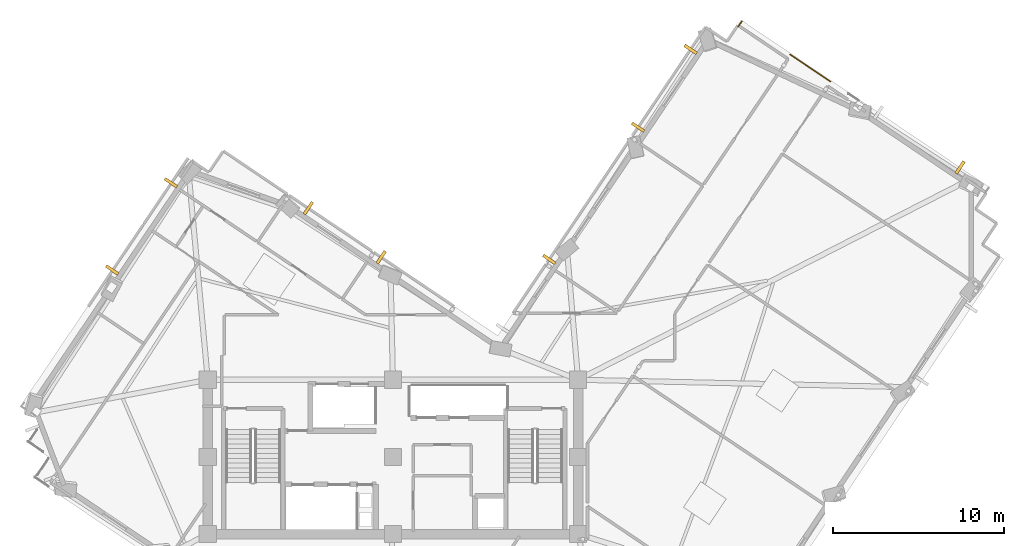
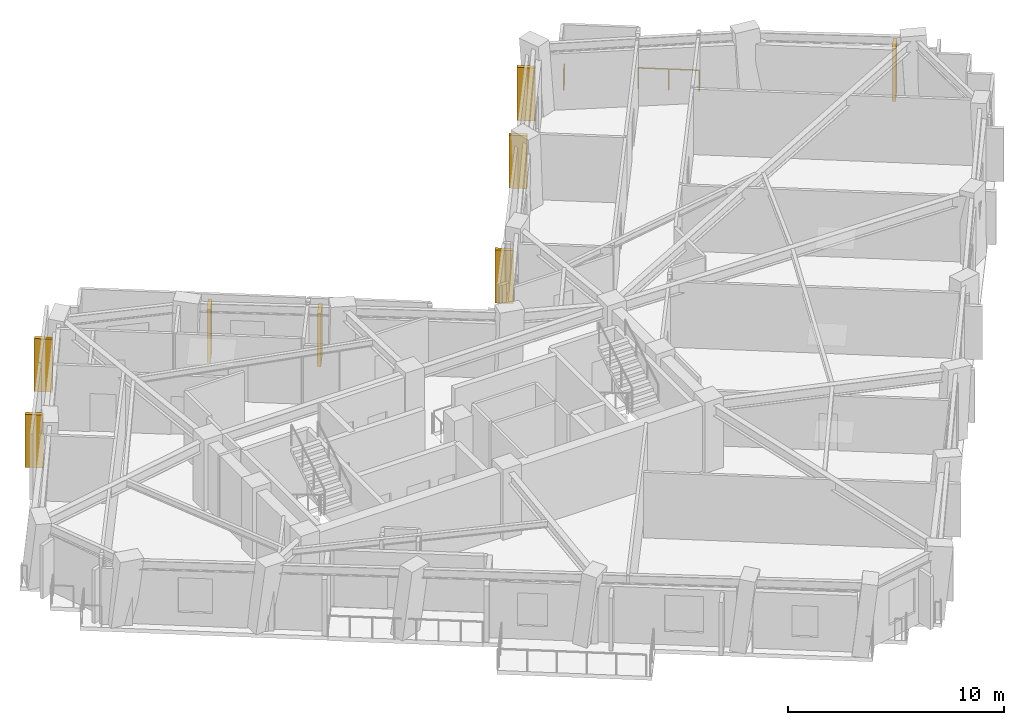
# One storey, part 13 of 14: 8 shading devices, 2 railings.
"""IFC4 building model written with IfcOpenShell, lengths in metres."""

import ifcopenshell
import ifcopenshell.guid

model = None  # the IFC model being written
_history = None  # IfcOwnerHistory: only IFC2X3 demands one
_inside = {}  # id of a spatial element -> (the spatial element, [elements in it])
_under = {}  # id of a project, library or spatial element -> (it, [spatial elements below it])
_declared = {}  # id of a project -> (the project, [libraries it declares])
_typed = {}  # id of a type object -> (the type object, [elements of that type])
_made_of = {}  # id of a material, layer set ... -> (it, [elements and type objects made of it])


def new_model(schema):
    """Start an empty IFC model of exactly this schema.

    Asked for "IFC4X3", IfcOpenShell would pick the latest addendum, in which some entities
    have other attributes; the version numbers below select the first issue.
    IFC2X3 requires an IfcOwnerHistory on every rooted entity: one is made here for all.
    """
    global model, _history
    if schema == "IFC4X3":
        model = ifcopenshell.file(schema_version=(4, 3, 0, 0))
    else:
        model = ifcopenshell.file(schema=schema)
    _inside.clear()
    _under.clear()
    _declared.clear()
    _typed.clear()
    _made_of.clear()
    _history = None
    if model.schema == "IFC2X3":
        org = make("IfcOrganization", Name="unknown")
        user = make(
            "IfcPersonAndOrganization",
            ThePerson=make("IfcPerson", FamilyName="unknown"),
            TheOrganization=org,
        )
        app = make(
            "IfcApplication",
            ApplicationDeveloper=org,
            Version="unknown",
            ApplicationFullName="unknown",
            ApplicationIdentifier="unknown",
        )
        _history = make(
            "IfcOwnerHistory",
            OwningUser=user,
            OwningApplication=app,
            ChangeAction="ADDED",
            CreationDate=0,
        )
    return model


def make(cls, **values):
    """One entity of the class cls with the attributes given. An attribute that is None is left unset."""
    return model.create_entity(
        cls, **{name: value for name, value in values.items() if value is not None}
    )


def rooted(cls, **values):
    """An entity with a GlobalId (a new one), such as an element, a storey or a relation."""
    return make(cls, GlobalId=ifcopenshell.guid.new(), OwnerHistory=_history, **values)


def si_unit(unit_type, name, prefix=None):
    """IfcSIUnit, for example si_unit("LENGTHUNIT", "METRE", prefix="MILLI")."""
    return make("IfcSIUnit", UnitType=unit_type, Prefix=prefix, Name=name)


def assignment(units):
    """IfcUnitAssignment: the units of a project."""
    return None if units is None else make("IfcUnitAssignment", Units=units)


def point(xyz):
    """IfcCartesianPoint."""
    return None if xyz is None else make("IfcCartesianPoint", Coordinates=xyz)


def direction(xyz):
    """IfcDirection."""
    return None if xyz is None else make("IfcDirection", DirectionRatios=xyz)


def frame(location, z_axis=None, x_axis=None):
    """IfcAxis2Placement3D, a coordinate frame: its origin and axes. An axis left out is left unset."""
    return make(
        "IfcAxis2Placement3D",
        Location=point(location),
        Axis=direction(z_axis),
        RefDirection=direction(x_axis),
    )


def frame_2d(location, x_axis=None):
    """IfcAxis2Placement2D, a coordinate frame in the plane: its origin and x axis."""
    return make(
        "IfcAxis2Placement2D", Location=point(location), RefDirection=direction(x_axis)
    )


def origin():
    """The frame at (0, 0, 0) with its axes left unset."""
    return frame((0.0, 0.0, 0.0))


def origin_2d():
    """The frame at (0, 0) in the plane with its x axis left unset."""
    return frame_2d((0.0, 0.0))


def place(relative_to, where):
    """IfcLocalPlacement: puts the frame where relative to a parent placement (None: the world)."""
    return make(
        "IfcLocalPlacement", PlacementRelTo=relative_to, RelativePlacement=where
    )


def context(
    kind, dimensions, precision=None, world=None, true_north=None, identifier=None
):
    """IfcGeometricRepresentationContext, for example the 3D "Model" context."""
    return make(
        "IfcGeometricRepresentationContext",
        ContextIdentifier=identifier,
        ContextType=kind,
        CoordinateSpaceDimension=dimensions,
        Precision=precision,
        WorldCoordinateSystem=world,
        TrueNorth=true_north,
    )


def subcontext(parent, identifier, kind, view, scale=None):
    """IfcGeometricRepresentationSubContext, for example "Body" below "Model"."""
    return make(
        "IfcGeometricRepresentationSubContext",
        ContextIdentifier=identifier,
        ContextType=kind,
        ParentContext=parent,
        TargetScale=scale,
        TargetView=view,
    )


def project(units=None, contexts=None):
    """IfcProject with its units and contexts."""
    return rooted(
        "IfcProject",
        Name="project",
        RepresentationContexts=contexts,
        UnitsInContext=assignment(units),
    )


def spatial(cls, under=None, at=None, **own):
    """A site, building, storey or space (cls), placed at a placement, below another one or the project."""
    s = rooted(cls, ObjectPlacement=at, **own)
    if under is not None:
        _under.setdefault(under.id(), (under, []))[1].append(s)
    return s


def profile(cls, at=None, kind="AREA", **sizes):
    """A parametric profile (cls). Its sizes go by their IFC names, for example OverallWidth=200.0."""
    return make(cls, ProfileType=kind, Position=at, **sizes)


def rectangle(**sizes):
    """IfcRectangleProfileDef."""
    return profile("IfcRectangleProfileDef", **sizes)


def circle(**sizes):
    """IfcCircleProfileDef."""
    return profile("IfcCircleProfileDef", **sizes)


def extrude(swept, where, along, depth):
    """IfcExtrudedAreaSolid: the profile swept, set in the frame where, extruded along a direction by depth."""
    return make(
        "IfcExtrudedAreaSolid",
        SweptArea=swept,
        Position=where,
        ExtrudedDirection=direction(along),
        Depth=depth,
    )


def shape(context_of_items, identifier, shape_type, items):
    """IfcShapeRepresentation: the items that make up one representation, for example the "Body"."""
    return make(
        "IfcShapeRepresentation",
        ContextOfItems=context_of_items,
        RepresentationIdentifier=identifier,
        RepresentationType=shape_type,
        Items=items,
    )


def material(Name=None, Category=None):
    """IfcMaterial."""
    return make("IfcMaterial", Name=Name, Category=Category)


def layer(
    of_material, thickness, ventilated=None, Name=None, Category=None, Priority=None
):
    """IfcMaterialLayer: one layer of a wall or slab, of a material (None: an air gap)."""
    return make(
        "IfcMaterialLayer",
        Material=of_material,
        LayerThickness=thickness,
        IsVentilated=ventilated,
        Name=Name,
        Category=Category,
        Priority=Priority,
    )


def layer_set(layers, Name=None):
    """IfcMaterialLayerSet."""
    return make("IfcMaterialLayerSet", MaterialLayers=layers, LayerSetName=Name)


def made_of(thing, what):
    """Note that an element or type object is made of a material, layer set ...; save() writes the relation."""
    if what is not None:
        _made_of.setdefault(what.id(), (what, []))[1].append(thing)
    return thing


def type_object(cls, material=None, **own):
    """A type object (cls), such as IfcWallType, which elements share."""
    return made_of(rooted(cls, **own), material)


def element(
    cls,
    number,
    at=None,
    inside=None,
    cuts=None,
    type_object=None,
    material=None,
    context=None,
    identifier="Body",
    shape_type=None,
    held_by="IfcProductDefinitionShape",
    body=None,
    shapes=None,
    **own,
):
    """One element of the class cls, such as IfcWall. Its Tag is "e" and its number.

    at: its placement. inside: the storey or other place that contains it. cuts: it is an
    opening in that element (IfcRelVoidsElement). A single representation is given by context,
    identifier, shape_type and body (its items); several are given by shapes. held_by: the class
    of the entity that holds the representations. save() writes the other relations.
    """
    e = rooted(cls, Tag="e%d" % number, ObjectPlacement=at, **own)
    if body is not None:
        shapes = [shape(context, identifier, shape_type, body)]
    if shapes is not None:
        e.Representation = make(held_by, Representations=shapes)
    if inside is not None:
        _inside.setdefault(inside.id(), (inside, []))[1].append(e)
    if cuts is not None:
        rooted(
            "IfcRelVoidsElement", RelatingBuildingElement=cuts, RelatedOpeningElement=e
        )
    if type_object is not None:
        _typed.setdefault(type_object.id(), (type_object, []))[1].append(e)
    return made_of(e, material)


def aggregate(whole, parts):
    """IfcRelAggregates: a whole, such as a stair, and the parts it consists of."""
    return rooted("IfcRelAggregates", RelatingObject=whole, RelatedObjects=parts)


def save(model, path):
    """Write the relations noted so far, then the file.

    IfcRelAggregates (storeys below a building ...), IfcRelContainedInSpatialStructure (elements
    in a storey), IfcRelDefinesByType, IfcRelAssociatesMaterial and IfcRelDeclares: one each for
    every whole, place, type object, material and project.
    """
    for whole, parts in _under.values():
        aggregate(whole, parts)
    for where, things in _inside.values():
        rooted(
            "IfcRelContainedInSpatialStructure",
            RelatedElements=things,
            RelatingStructure=where,
        )
    for kind, things in _typed.values():
        rooted("IfcRelDefinesByType", RelatedObjects=things, RelatingType=kind)
    for what, things in _made_of.values():
        rooted("IfcRelAssociatesMaterial", RelatedObjects=things, RelatingMaterial=what)
    for by, libraries in _declared.values():
        rooted("IfcRelDeclares", RelatingContext=by, RelatedDefinitions=libraries)
    model.write(path)


model = new_model("IFC4")

# Units and contexts
model_context = context("Model", 3, precision=1e-05, world=origin(), true_north=direction((0.0, 1.0)))
body_context = subcontext(model_context, "Body", "Model", "MODEL_VIEW")
ifc_project = project(units=[si_unit("LENGTHUNIT", "METRE"), si_unit("AREAUNIT", "SQUARE_METRE"), si_unit("VOLUMEUNIT", "CUBIC_METRE"), si_unit("PLANEANGLEUNIT", "RADIAN"), si_unit("MASSUNIT", "GRAM", prefix="KILO")], contexts=[model_context])

# Site, building, storey
site_placement = place(None, origin())
site = spatial("IfcSite", under=ifc_project, at=site_placement, CompositionType="ELEMENT")
building_placement = place(site_placement, origin())
building = spatial("IfcBuilding", under=site, at=building_placement, Name="Gaonmaruhae Medical Tower", CompositionType="ELEMENT")
storey_placement = place(building_placement, frame((0.0, 0.0, 263.199951171875)))
storey = spatial("IfcBuildingStorey", under=building, at=storey_placement, Name="L63", CompositionType="ELEMENT", Elevation=263.199951171875)

# Railings
ifc_material_1 = material(Name="Stainless steel 316L and laminated safety glass", Category="steel")
ifc_layer = layer(ifc_material_1, 0.080078125)
ifc_layer_set = layer_set([ifc_layer], Name="Stainless steel 316L and laminated safety glass")
railing_type = type_object("IfcRailingType", Name="GD-120 Outdoor Terrace Safety Glass & Steel Balustrade", PredefinedType="BALUSTRADE", material=ifc_layer_set)
railing_1_placement = place(storey_placement, frame((44.94091796875, 37.4013671875, 0.0)))
element("IfcRailing", 1, at=railing_1_placement, inside=storey, type_object=railing_type, Name="L63 Perimeter Slab Edge Safety Balustrade 04", PredefinedType="BALUSTRADE", context=body_context, shape_type="SweptSolid", body=[
    extrude(circle(Radius=0.02392578125, at=origin_2d()), frame((0.0, 0.0, 1.17578125), z_axis=(0.557990220328, 0.82984752456, 0.0), x_axis=(-0.82984752456, 0.557990220328, 0.0)), (0.0, 0.0, 1.0), 0.393310546875),
    extrude(circle(Radius=0.02099609375, at=origin_2d()), origin(), (0.0, 0.0, 1.0), 1.15185546875),
    extrude(circle(Radius=0.02099609375, at=origin_2d()), frame((0.219482421875, 0.326416015625, 0.0)), (0.0, 0.0, 1.0), 1.15185546875),
])
railing_2_placement = place(storey_placement, frame((47.970703125, 35.775390625, 0.0)))
element("IfcRailing", 2, at=railing_2_placement, inside=storey, type_object=railing_type, Name="L63 Perimeter Slab Edge Safety Balustrade 05", PredefinedType="BALUSTRADE", context=body_context, shape_type="SweptSolid", body=[
    extrude(circle(Radius=0.02392578125, at=origin_2d()), frame((0.0, 0.0, 1.17578125), z_axis=(0.82954100872, -0.558445802967, 0.0), x_axis=(0.558445802967, 0.82954100872, 0.0)), (0.0, 0.0, 1.0), 2.838623046875),
    extrude(circle(Radius=0.02099609375, at=origin_2d()), origin(), (0.0, 0.0, 1.0), 1.15185546875),
    extrude(circle(Radius=0.02099609375, at=origin_2d()), frame((1.17724609375, -0.79248046875, 0.0)), (0.0, 0.0, 1.0), 1.15185546875),
    extrude(circle(Radius=0.02099609375, at=origin_2d()), frame((2.354736328125, -1.585205078125, 0.0)), (0.0, 0.0, 1.0), 1.15185546875),
])

# Shading devices
ifc_material_2 = material(Name="Pigmented coral precast concrete C45/55", Category="concrete")
shading_device_type = type_object("IfcShadingDeviceType", Name="SD-FIN1 Tower Vertical Coral Precast Shading Fin", PredefinedType="USERDEFINED", material=ifc_material_2)
for number, where, z_axis, x_axis, name in (
    (3, (57.881103515625, 29.181884765625, 0.092529296875), (0.0, 0.0, 1.0), (0.829525244685, -0.558469218875, 0.0), "L63 Vertical Coral Precast Shading Fin E01B"),
    (4, (39.100341796875, 31.528564453125, 0.092529296875), (0.0, 0.0, 1.0), (0.558469218875, 0.829525244685, 0.0), "L63 Vertical Coral Precast Shading Fin E03"),
    (5, (42.16064453125, 36.07421875, 0.092529296875), (0.0, 0.0, 1.0), (0.558469218875, 0.829525244685, 0.0), "L63 Vertical Coral Precast Shading Fin E03B"),
    (6, (33.912353515625, 23.822509765625, 0.092529296875), (0.0, 0.0, 1.0), (0.558469218875, 0.829525244685, 0.0), "L63 Vertical Coral Precast Shading Fin EN02B"),
    (7, (19.8662109375, 26.80712890625, 0.092529296875), (0.0, 0.0, 1.0), (0.829525244685, -0.558469218875, 0.0), "L63 Vertical Coral Precast Shading Fin NE01"),
    (8, (24.11669921875, 23.9453125, 0.092529296875), (0.0, 0.0, 1.0), (0.829525244685, -0.558469218875, 0.0), "L63 Vertical Coral Precast Shading Fin NE01B"),
    (9, (8.420654296875, 23.203125, 0.092529296875), (0.0, 0.0, 1.0), (0.558469218875, 0.829525244685, 0.0), "L63 Vertical Coral Precast Shading Fin N01"),
    (10, (11.846435546875, 28.29150390625, 0.092529296875), (0.0, 0.0, 1.0), (0.558469218875, 0.829525244685, 0.0), "L63 Vertical Coral Precast Shading Fin N01B"),
):
    element("IfcShadingDevice", number, at=place(storey_placement, frame(where, z_axis=z_axis, x_axis=x_axis)), inside=storey, type_object=shading_device_type, Name=name, ObjectType="FIN", PredefinedType="USERDEFINED", context=body_context, shape_type="SweptSolid", body=[
        extrude(rectangle(XDim=0.179931640625, YDim=0.85009765625, at=origin_2d()), origin(), (0.0, 0.0, 1.0), 3.0),
    ])

save(model, "model.ifc")
